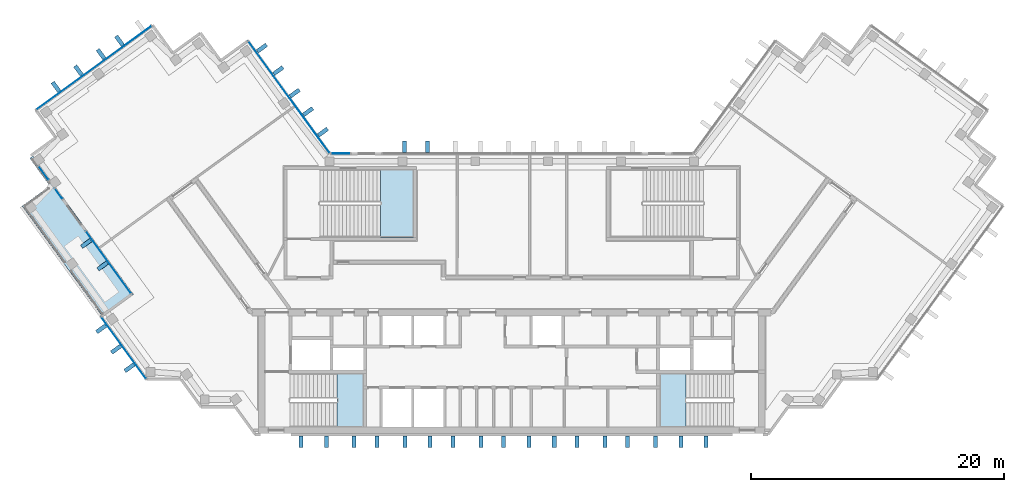
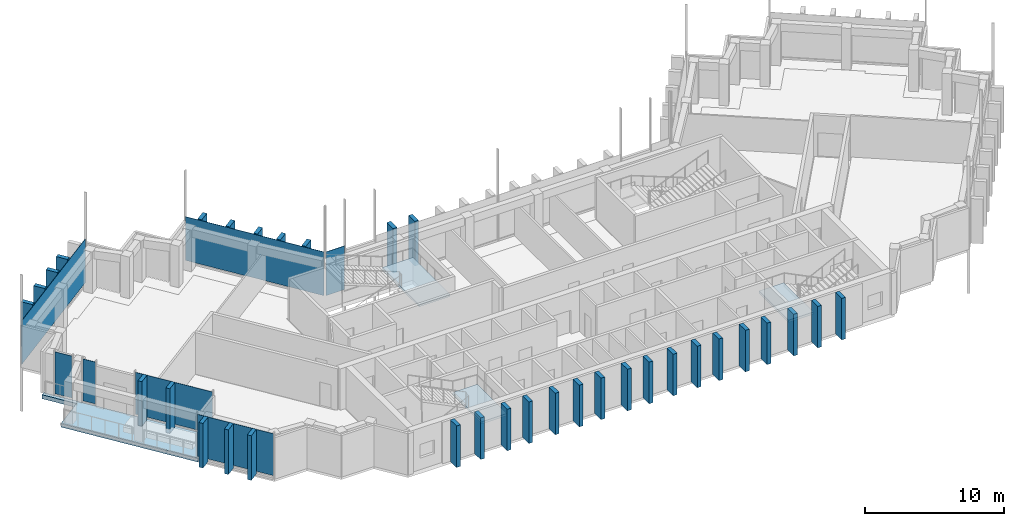
# One storey, part 7 of 14: 40 plates, 4 slabs, 10 elements without a shape of their own.
"""IFC4 building model written with IfcOpenShell, lengths in metres."""

from ifc_helpers import new_model, si_unit, direction, frame, origin, origin_2d, place, context, subcontext, project, spatial, polyline, rectangle, outline, extrude, material, layer, layer_set, type_object, element, aggregate, save


model = new_model("IFC4")

# Units and contexts
model_context = context("Model", 3, precision=1e-05, world=origin(), true_north=direction((0.0, 1.0)))
body_context = subcontext(model_context, "Body", "Model", "MODEL_VIEW")
ifc_project = project(units=[si_unit("LENGTHUNIT", "METRE"), si_unit("AREAUNIT", "SQUARE_METRE"), si_unit("VOLUMEUNIT", "CUBIC_METRE"), si_unit("PLANEANGLEUNIT", "RADIAN"), si_unit("MASSUNIT", "GRAM", prefix="KILO")], contexts=[model_context])

# Site, building, storey
site_placement = place(None, origin())
site = spatial("IfcSite", under=ifc_project, at=site_placement, CompositionType="ELEMENT")
building_placement = place(site_placement, origin())
building = spatial("IfcBuilding", under=site, at=building_placement, Name="Quipu Civic Tower", CompositionType="ELEMENT")
storey_placement = place(building_placement, frame((0.0, 0.0, 257.0)))
storey = spatial("IfcBuildingStorey", under=building, at=storey_placement, Name="L60", CompositionType="ELEMENT", Elevation=257.0)

# Curtain wall, plate
ifc_material_1 = material(Name="Insulated glass unit", Category="glass")
curtain_wall_type = type_object("IfcCurtainWallType", Name="Office curtain wall CW1", PredefinedType="NOTDEFINED", material=ifc_material_1)
curtain_wall_1_placement = place(storey_placement, origin())
curtain_wall_1 = element("IfcCurtainWall", 1, at=curtain_wall_1_placement, inside=storey, type_object=curtain_wall_type, Name="Office curtain wall CW1 L60 run 2", PredefinedType="NOTDEFINED")
ifc_material_2 = material(Name="Insulated glass unit", Category="glass")
ifc_layer_1 = layer(ifc_material_2, 0.028076171875)
ifc_layer_set_1 = layer_set([ifc_layer_1], Name="Insulated glass unit")
plate_type_1 = type_object("IfcPlateType", Name="Glass panel CW1", PredefinedType="CURTAIN_PANEL", material=ifc_layer_set_1)
plate_1_placement = place(storey_placement, frame((-36.956787109375, 9.558349609375, 0.240234375), z_axis=(0.0, 0.0, 1.0), x_axis=(0.587771284804, -0.809027142165, 0.0)))
plate_1 = element("IfcPlate", 2, at=plate_1_placement, type_object=plate_type_1, Name="CW1 panel 1.1", PredefinedType="CURTAIN_PANEL", context=body_context, shape_type="SweptSolid", body=[
    extrude(rectangle(XDim=1.340087890625, YDim=0.028076171875, at=origin_2d()), origin(), (0.0, 0.0, 1.0), 3.679931640625),
])
aggregate(curtain_wall_1, [plate_1])

curtain_wall_2_placement = place(storey_placement, origin())
curtain_wall_2 = element("IfcCurtainWall", 3, at=curtain_wall_2_placement, inside=storey, type_object=curtain_wall_type, Name="Office curtain wall CW1 L60 run 3", PredefinedType="NOTDEFINED")
plate_2_placement = place(storey_placement, frame((-35.766357421875, 7.919921875, 0.240234375), z_axis=(0.0, 0.0, 1.0), x_axis=(0.587814943242, -0.808995421805, 0.0)))
plate_2 = element("IfcPlate", 4, at=plate_2_placement, type_object=plate_type_1, Name="CW1 panel 1.1", PredefinedType="CURTAIN_PANEL", context=body_context, shape_type="SweptSolid", body=[
    extrude(rectangle(XDim=0.990234375, YDim=0.028076171875, at=origin_2d()), origin(), (0.0, 0.0, 1.0), 3.679931640625),
])
aggregate(curtain_wall_2, [plate_2])

curtain_wall_3_placement = place(storey_placement, origin())
curtain_wall_3 = element("IfcCurtainWall", 5, at=curtain_wall_3_placement, inside=storey, type_object=curtain_wall_type, Name="Office curtain wall CW1 L60 run 5", PredefinedType="NOTDEFINED")
plate_3_placement = place(storey_placement, frame((-31.843017578125, 2.519775390625, 0.240234375), z_axis=(0.0, 0.0, 1.0), x_axis=(0.587787992023, -0.809015003837, 0.0)))
plate_3 = element("IfcPlate", 6, at=plate_3_placement, type_object=plate_type_1, Name="CW1 panel 1.1", PredefinedType="CURTAIN_PANEL", context=body_context, shape_type="SweptSolid", body=[
    extrude(rectangle(XDim=6.03955078125, YDim=0.028076171875, at=origin_2d()), origin(), (0.0, 0.0, 1.0), 3.679931640625),
])
aggregate(curtain_wall_3, [plate_3])

curtain_wall_4_placement = place(storey_placement, origin())
curtain_wall_4 = element("IfcCurtainWall", 7, at=curtain_wall_4_placement, inside=storey, type_object=curtain_wall_type, Name="Office curtain wall CW1 L60 run 7", PredefinedType="NOTDEFINED")
plate_4_placement = place(storey_placement, frame((-30.638916015625, -4.2412109375, 0.240234375), z_axis=(0.0, 0.0, 1.0), x_axis=(0.587779463525, -0.809021200129, 0.0)))
plate_4 = element("IfcPlate", 8, at=plate_4_placement, type_object=plate_type_1, Name="CW1 panel 1.1", PredefinedType="CURTAIN_PANEL", context=body_context, shape_type="SweptSolid", body=[
    extrude(rectangle(XDim=5.99560546875, YDim=0.028076171875, at=origin_2d()), origin(), (0.0, 0.0, 1.0), 3.679931640625),
])
aggregate(curtain_wall_4, [plate_4])

curtain_wall_5_placement = place(storey_placement, origin())
curtain_wall_5 = element("IfcCurtainWall", 9, at=curtain_wall_5_placement, inside=storey, type_object=curtain_wall_type, Name="Office curtain wall CW1 L59 run 28", PredefinedType="NOTDEFINED")
plate_5_placement = place(storey_placement, frame((-13.49951171875, 11.10009765625, 0.16015625), z_axis=(0.0, 0.0, 1.0), x_axis=(-1.0, 0.0, 0.0)))
plate_5 = element("IfcPlate", 10, at=plate_5_placement, type_object=plate_type_1, Name="CW1 panel 1.2", PredefinedType="CURTAIN_PANEL", context=body_context, shape_type="SweptSolid", body=[
    extrude(rectangle(XDim=1.529296875, YDim=0.028076171875, at=origin_2d()), origin(), (0.0, 0.0, 1.0), 3.840087890625),
])
aggregate(curtain_wall_5, [plate_5])

curtain_wall_6_placement = place(storey_placement, origin())
curtain_wall_6 = element("IfcCurtainWall", 11, at=curtain_wall_6_placement, inside=storey, type_object=curtain_wall_type, Name="Office curtain wall CW1 L59 run 29", PredefinedType="NOTDEFINED")
plate_6_placement = place(storey_placement, frame((-17.590087890625, 15.5673828125, 0.16015625), z_axis=(0.0, 0.0, 1.0), x_axis=(-0.587787771652, 0.809015163947, 0.0)))
plate_6 = element("IfcPlate", 12, at=plate_6_placement, type_object=plate_type_1, Name="CW1 panel 1.2", PredefinedType="CURTAIN_PANEL", context=body_context, shape_type="SweptSolid", body=[
    extrude(rectangle(XDim=10.88427734375, YDim=0.028076171875, at=origin_2d()), origin(), (0.0, 0.0, 1.0), 3.840087890625),
])
aggregate(curtain_wall_6, [plate_6])

curtain_wall_7_placement = place(storey_placement, origin())
curtain_wall_7 = element("IfcCurtainWall", 13, at=curtain_wall_7_placement, inside=storey, type_object=curtain_wall_type, Name="Office curtain wall CW1 L59 run 34", PredefinedType="NOTDEFINED")
plate_7_placement = place(storey_placement, frame((-32.989990234375, 17.87939453125, 0.16015625), z_axis=(0.0, 0.0, 1.0), x_axis=(-0.809015176832, -0.587787753918, 0.0)))
plate_7 = element("IfcPlate", 14, at=plate_7_placement, type_object=plate_type_1, Name="CW1 panel 1.2", PredefinedType="CURTAIN_PANEL", context=body_context, shape_type="SweptSolid", body=[
    extrude(rectangle(XDim=11.239990234375, YDim=0.028076171875, at=origin_2d()), origin(), (0.0, 0.0, 1.0), 3.840087890625),
])
aggregate(curtain_wall_7, [plate_7])

# Plates
ifc_material_3 = material(Name="Precast concrete C40/50", Category="concrete")
plate_type_2 = type_object("IfcPlateType", Name="Precast fin F3", PredefinedType="SHEET", material=ifc_material_3)
for number, where, z_axis, x_axis, name in (
    (15, (-33.6044921875, 4.008544921875, 0.080078125), (0.0, 0.0, 1.0), (0.587786244816, -0.809016273264, 0.0), "Precast fin F3 L60.5.1"),
    (16, (-32.311279296875, 2.228759765625, 0.080078125), (0.0, 0.0, 1.0), (0.587786244816, -0.809016273264, 0.0), "Precast fin F3 L60.5.2"),
    (17, (-32.416748046875, -2.729736328125, 0.080078125), (0.0, 0.0, 1.0), (0.587780499868, -0.809020447192, 0.0), "Precast fin F3 L60.7.1"),
    (18, (-31.2412109375, -4.347900390625, 0.080078125), (0.0, 0.0, 1.0), (0.587780499868, -0.809020447192, 0.0), "Precast fin F3 L60.7.2"),
    (19, (-30.183349609375, -5.803955078125, 0.080078125), (0.0, 0.0, 1.0), (0.587780499868, -0.809020447192, 0.0), "Precast fin F3 L60.7.3"),
):
    element("IfcPlate", number, at=place(storey_placement, frame(where, z_axis=z_axis, x_axis=x_axis)), inside=storey, type_object=plate_type_2, Name=name, PredefinedType="SHEET", context=body_context, shape_type="SweptSolid", body=[
        extrude(rectangle(XDim=0.320068359375, YDim=0.89990234375, at=origin_2d()), origin(), (0.0, 0.0, 1.0), 3.919921875),
    ])
for number, where, z_axis, x_axis, name in (
    (20, (-16.639892578125, -11.637939453125, 0.0), (0.0, 0.0, 1.0), (1.0, 0.0, 0.0), "Precast fin F3 L60.P04.1"),
    (21, (-14.639892578125, -11.637939453125, 0.0), (0.0, 0.0, 1.0), (1.0, 0.0, 0.0), "Precast fin F3 L60.P04.2"),
    (22, (-12.43994140625, -11.637939453125, 0.0), (0.0, 0.0, 1.0), (1.0, 0.0, 0.0), "Precast fin F3 L60.P04.3"),
    (23, (-10.639892578125, -11.637939453125, 0.0), (0.0, 0.0, 1.0), (1.0, 0.0, 0.0), "Precast fin F3 L60.P04.4"),
    (24, (-8.43994140625, -11.637939453125, 0.0), (0.0, 0.0, 1.0), (1.0, 0.0, 0.0), "Precast fin F3 L60.P04.5"),
    (25, (-6.43994140625, -11.637939453125, 0.0), (0.0, 0.0, 1.0), (1.0, 0.0, 0.0), "Precast fin F3 L60.P04.6"),
    (26, (-4.639892578125, -11.637939453125, 0.0), (0.0, 0.0, 1.0), (1.0, 0.0, 0.0), "Precast fin F3 L60.P04.7"),
    (27, (-2.43994140625, -11.637939453125, 0.0), (0.0, 0.0, 1.0), (1.0, 0.0, 0.0), "Precast fin F3 L60.P04.8"),
    (28, (-0.639892578125, -11.637939453125, 0.0), (0.0, 0.0, 1.0), (1.0, 0.0, 0.0), "Precast fin F3 L60.P04.9"),
    (29, (1.360107421875, -11.637939453125, 0.0), (0.0, 0.0, 1.0), (1.0, 0.0, 0.0), "Precast fin F3 L60.P04.10"),
    (30, (3.360107421875, -11.637939453125, 0.0), (0.0, 0.0, 1.0), (1.0, 0.0, 0.0), "Precast fin F3 L60.P04.11"),
    (31, (5.159912109375, -11.637939453125, 0.0), (0.0, 0.0, 1.0), (1.0, 0.0, 0.0), "Precast fin F3 L60.P04.12"),
    (32, (7.360107421875, -11.637939453125, 0.0), (0.0, 0.0, 1.0), (1.0, 0.0, 0.0), "Precast fin F3 L60.P04.13"),
    (33, (9.159912109375, -11.637939453125, 0.0), (0.0, 0.0, 1.0), (1.0, 0.0, 0.0), "Precast fin F3 L60.P04.14"),
    (34, (11.360107421875, -11.637939453125, 0.0), (0.0, 0.0, 1.0), (1.0, 0.0, 0.0), "Precast fin F3 L60.P04.15"),
    (35, (13.360107421875, -11.637939453125, 0.0), (0.0, 0.0, 1.0), (1.0, 0.0, 0.0), "Precast fin F3 L60.P04.16"),
    (36, (15.360107421875, -11.637939453125, 0.0), (0.0, 0.0, 1.0), (1.0, 0.0, 0.0), "Precast fin F3 L60.P04.17"),
):
    element("IfcPlate", number, at=place(storey_placement, frame(where, z_axis=z_axis, x_axis=x_axis)), inside=storey, type_object=plate_type_2, Name=name, PredefinedType="SHEET", context=body_context, shape_type="SweptSolid", body=[
        extrude(rectangle(XDim=0.320068359375, YDim=0.89990234375, at=origin_2d()), origin(), (0.0, 0.0, 1.0), 3.64990234375),
    ])
for number, where, z_axis, x_axis, name in (
    (37, (-6.659912109375, 11.64990234375, 0.080078125), (0.0, 0.0, 1.0), (-1.0, 0.0, 0.0), "Precast fin F3 L60.P23.9"),
    (38, (-8.4599609375, 11.64990234375, 0.080078125), (0.0, 0.0, 1.0), (-1.0, 0.0, 0.0), "Precast fin F3 L60.P23.10"),
    (39, (-14.90380859375, 12.805908203125, 0.080078125), (0.0, 0.0, 1.0), (-0.58778443384, 0.809017589015, 0.0), "Precast fin F3 L60.P26.1"),
    (40, (-16.079345703125, 14.424072265625, 0.080078125), (0.0, 0.0, 1.0), (-0.58778443384, 0.809017589015, 0.0), "Precast fin F3 L60.P26.2"),
    (41, (-17.137451171875, 15.880126953125, 0.080078125), (0.0, 0.0, 1.0), (-0.58778443384, 0.809017589015, 0.0), "Precast fin F3 L60.P26.3"),
    (42, (-18.4306640625, 17.66015625, 0.080078125), (0.0, 0.0, 1.0), (-0.58778443384, 0.809017589015, 0.0), "Precast fin F3 L60.P26.4"),
    (43, (-19.7236328125, 19.43994140625, 0.080078125), (0.0, 0.0, 1.0), (-0.58778443384, 0.809017589015, 0.0), "Precast fin F3 L60.P26.5"),
    (44, (-30.975341796875, 20.02294921875, 0.080078125), (0.0, 0.0, 1.0), (-0.809017072762, -0.587785144401, 0.0), "Precast fin F3 L60.P31.2"),
    (45, (-32.431640625, 18.96484375, 0.080078125), (0.0, 0.0, 1.0), (-0.809017072762, -0.587785144401, 0.0), "Precast fin F3 L60.P31.3"),
    (46, (-34.21142578125, 17.671875, 0.080078125), (0.0, 0.0, 1.0), (-0.809017072762, -0.587785144401, 0.0), "Precast fin F3 L60.P31.4"),
    (47, (-35.9912109375, 16.378662109375, 0.080078125), (0.0, 0.0, 1.0), (-0.809017072762, -0.587785144401, 0.0), "Precast fin F3 L60.P31.5"),
):
    element("IfcPlate", number, at=place(storey_placement, frame(where, z_axis=z_axis, x_axis=x_axis)), inside=storey, type_object=plate_type_2, Name=name, PredefinedType="SHEET", context=body_context, shape_type="SweptSolid", body=[
        extrude(rectangle(XDim=0.320068359375, YDim=0.89990234375, at=origin_2d()), origin(), (0.0, 0.0, 1.0), 3.919921875),
    ])

# Stair, slab
ifc_material_4 = material(Name="Concrete C40/50", Category="concrete")
stair_type_1 = type_object("IfcStairType", Name="Half turn stair 2000", PredefinedType="HALF_TURN_STAIR", material=ifc_material_4)
stair_1_placement = place(storey_placement, origin())
stair_1 = element("IfcStair", 48, at=stair_1_placement, inside=storey, type_object=stair_type_1, Name="Exit stair 1", PredefinedType="HALF_TURN_STAIR")
ifc_material_5 = material(Name="Concrete C40/50", Category="concrete")
ifc_layer_2 = layer(ifc_material_5, 0.199951171875)
ifc_layer_set_2 = layer_set([ifc_layer_2], Name="Concrete C40/50")
slab_type_1 = type_object("IfcSlabType", Name="Stair landing 200", PredefinedType="LANDING", material=ifc_layer_set_2)
slab_1_placement = place(storey_placement, frame((0.0, 0.0, 1.800048828125)))
slab_1 = element("IfcSlab", 49, at=slab_1_placement, type_object=slab_type_1, Name="ST-1 landing 1", PredefinedType="LANDING", context=body_context, shape_type="SweptSolid", body=[
    extrude(outline(polyline([(-13.780029296875, -10.5), (-11.699951171875, -10.5), (-11.699951171875, -6.25), (-13.780029296875, -6.25), (-13.780029296875, -10.5)])), origin(), (0.0, 0.0, 1.0), 0.199951171875),
])
aggregate(stair_1, [slab_1])

stair_2_placement = place(storey_placement, origin())
stair_2 = element("IfcStair", 50, at=stair_2_placement, inside=storey, type_object=stair_type_1, Name="Exit stair 2", PredefinedType="HALF_TURN_STAIR")
slab_2_placement = place(storey_placement, frame((0.0, 0.0, 1.800048828125)))
slab_2 = element("IfcSlab", 51, at=slab_2_placement, type_object=slab_type_1, Name="ST-2 landing 1", PredefinedType="LANDING", context=body_context, shape_type="SweptSolid", body=[
    extrude(outline(polyline([(13.780029296875, -6.25), (11.699951171875, -6.25), (11.699951171875, -10.5), (13.780029296875, -10.5), (13.780029296875, -6.25)])), origin(), (0.0, 0.0, 1.0), 0.199951171875),
])
aggregate(stair_2, [slab_2])

ifc_material_6 = material(Name="Concrete C40/50", Category="concrete")
stair_type_2 = type_object("IfcStairType", Name="Half turn stair 2600", PredefinedType="HALF_TURN_STAIR", material=ifc_material_6)
stair_3_placement = place(storey_placement, origin())
stair_3 = element("IfcStair", 52, at=stair_3_placement, inside=storey, type_object=stair_type_2, Name="Exit stair 3", PredefinedType="HALF_TURN_STAIR")
slab_3_placement = place(storey_placement, frame((0.0, 0.0, 1.800048828125)))
slab_3 = element("IfcSlab", 53, at=slab_3_placement, type_object=slab_type_1, Name="ST-3 landing 1", PredefinedType="LANDING", context=body_context, shape_type="SweptSolid", body=[
    extrude(outline(polyline([(-10.35009765625, 4.5), (-7.75, 4.5), (-7.75, 9.85009765625), (-10.35009765625, 9.85009765625), (-10.35009765625, 4.5)])), origin(), (0.0, 0.0, 1.0), 0.199951171875),
])
aggregate(stair_3, [slab_3])

# Slab
ifc_material_7 = material(Name="Concrete C40/50", Category="concrete")
ifc_layer_3 = layer(ifc_material_7, 0.35009765625)
ifc_layer_set_3 = layer_set([ifc_layer_3], Name="Concrete C40/50")
slab_type_2 = type_object("IfcSlabType", Name="Terrace slab 350 C40/50", PredefinedType="FLOOR", material=ifc_layer_set_3)
slab_4_placement = place(storey_placement, frame((0.0, 0.0, -0.35009765625)))
element("IfcSlab", 54, at=slab_4_placement, inside=storey, type_object=slab_type_2, Name="Terrace slab L60", PredefinedType="FLOOR", context=body_context, shape_type="SweptSolid", body=[
    extrude(outline(polyline([(-36.469970703125, 8.550048828125), (-38.06005859375, 10.735107421875), (-37.81494140625, 10.909912109375), (-29.8798828125, -0.010009765625), (-32.31005859375, -1.77490234375), (-38.655029296875, 6.965087890625), (-36.469970703125, 8.550048828125)])), origin(), (0.0, 0.0, 1.0), 0.35009765625),
])

save(model, "model.ifc")
